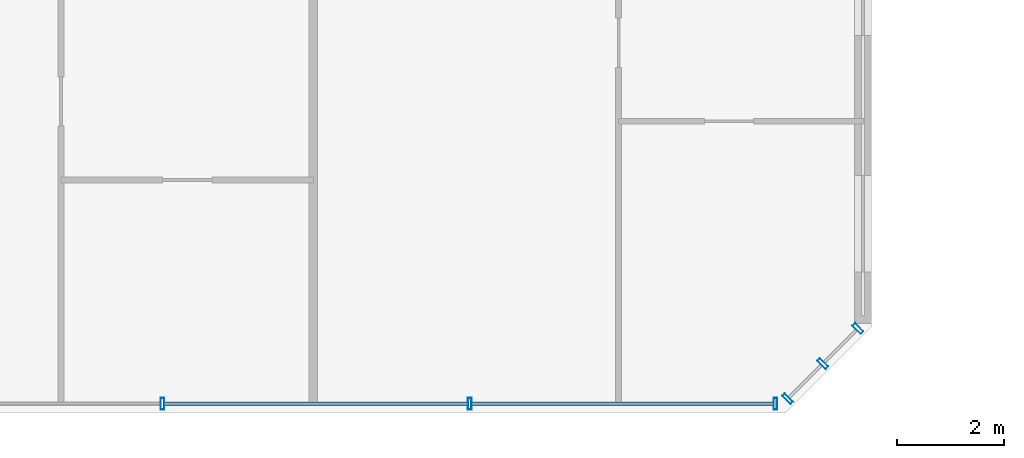
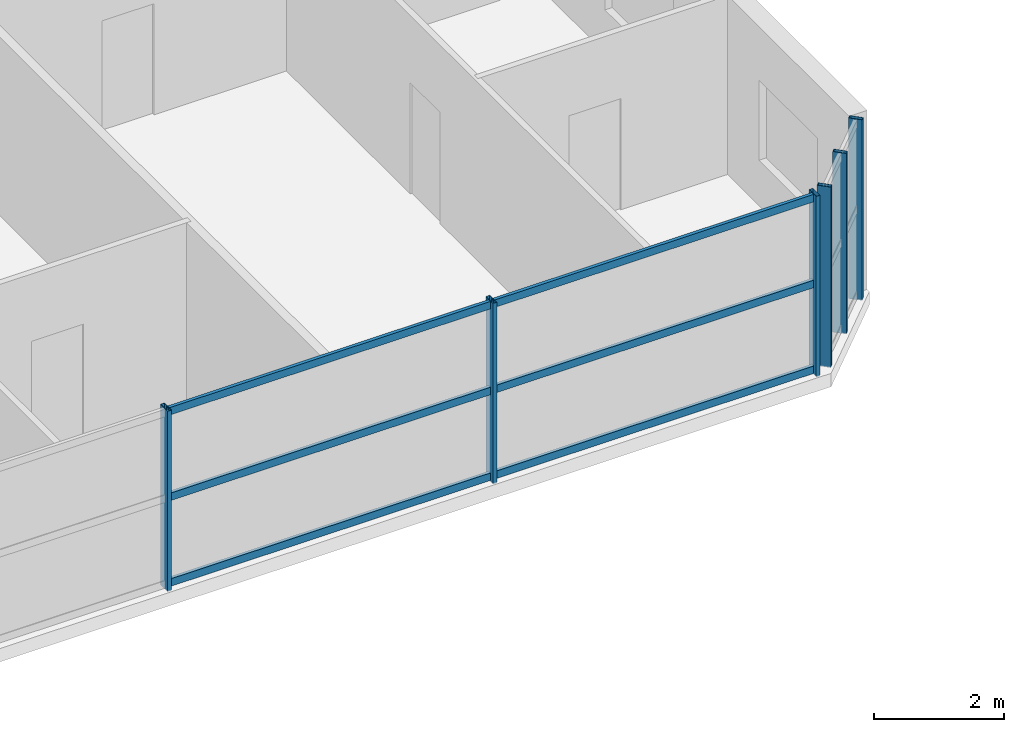
# One storey, part 6 of 21: 12 members, 2 elements without a shape of their own.
"""IFC4 building model written with IfcOpenShell, lengths in metres."""

from ifc_helpers import new_model, si_unit, direction, frame, origin, origin_2d, place, context, subcontext, project, spatial, hollow_rectangle, extrude, source, transform, mapped, material, material_profile, profile_set, type_object, element, aggregate, save


model = new_model("IFC4")

# Units and contexts
model_context = context("Model", 3, precision=1e-05, world=origin(), true_north=direction((0.0, 1.0)))
body_context = subcontext(model_context, "Body", "Model", "MODEL_VIEW")
ifc_project = project(units=[si_unit("LENGTHUNIT", "METRE"), si_unit("AREAUNIT", "SQUARE_METRE"), si_unit("VOLUMEUNIT", "CUBIC_METRE"), si_unit("PLANEANGLEUNIT", "RADIAN"), si_unit("MASSUNIT", "GRAM", prefix="KILO")], contexts=[model_context])

# Site, building, storey
site_placement = place(None, origin())
site = spatial("IfcSite", under=ifc_project, at=site_placement, CompositionType="ELEMENT")
building_placement = place(site_placement, origin())
building = spatial("IfcBuilding", under=site, at=building_placement, Name="Tlacorven Tower", CompositionType="ELEMENT")
storey_placement = place(building_placement, frame((0.0, 0.0, 90.0)))
storey = spatial("IfcBuildingStorey", under=building, at=storey_placement, Name="L22", CompositionType="ELEMENT", Elevation=90.0)

# Curtain wall, members
ifc_material_1 = material(Name="Dark solar low-E double glazing in aluminium frame", Category="aluminium")
curtain_wall_type = type_object("IfcCurtainWallType", Name="CW-TWR-LOW", PredefinedType="USERDEFINED", material=ifc_material_1)
curtain_wall_1_placement = place(storey_placement, origin())
curtain_wall_1 = element("IfcCurtainWall", 1, at=curtain_wall_1_placement, inside=storey, type_object=curtain_wall_type, Name="L22 CW-TWR-LOW Curtain Wall 115", ObjectType="UNITISED CURTAIN WALL", PredefinedType="USERDEFINED")
ifc_material_2 = material(Name="Aluminium 6063-T6 anodised", Category="aluminium")
ifc_material_profile_1 = material_profile(ifc_material_2, hollow_rectangle(XDim=0.070068359375, YDim=0.219970703125, WallThickness=0.0048828125, at=origin_2d()), Name="ALU MULLION 70X220")
ifc_profile_set_1 = profile_set([ifc_material_profile_1], Name="Aluminium 6063-T6 anodised")
member_type_1 = type_object("IfcMemberType", Name="CWM-01", PredefinedType="MULLION", material=ifc_profile_set_1)
shared_shape_1 = source(origin(), body_context, "Body", "SweptSolid", [
    extrude(hollow_rectangle(XDim=0.070068359375, YDim=0.219970703125, WallThickness=0.0048828125, at=origin_2d()), origin(), (0.0, 0.0, 1.0), 3.380126953125),
])
member_1_placement = place(storey_placement, frame((52.14453125, 3.370849609375, -0.02001953125), z_axis=(0.0, 0.0, 1.0), x_axis=(-0.707106781187, -0.707106781187, 0.0)))
member_1 = element("IfcMember", 2, at=member_1_placement, type_object=member_type_1, Name="CW-L22-115 Mullion 1", PredefinedType="MULLION", context=body_context, shape_type="MappedRepresentation", body=[
    mapped(shared_shape_1, transform((0.0, 0.0, 0.0), scale=1.0)),
])
member_2_placement = place(storey_placement, frame((51.48681640625, 2.713134765625, -0.02001953125), z_axis=(0.0, 0.0, 1.0), x_axis=(-0.707106781187, -0.707106781187, 0.0)))
member_2 = element("IfcMember", 3, at=member_2_placement, type_object=member_type_1, Name="CW-L22-115 Mullion 2", PredefinedType="MULLION", context=body_context, shape_type="MappedRepresentation", body=[
    mapped(shared_shape_1, transform((0.0, 0.0, 0.0), scale=1.0)),
])
member_3_placement = place(storey_placement, frame((50.8291015625, 2.055419921875, -0.02001953125), z_axis=(0.0, 0.0, 1.0), x_axis=(-0.707106781187, -0.707106781187, 0.0)))
member_3 = element("IfcMember", 4, at=member_3_placement, type_object=member_type_1, Name="CW-L22-115 Mullion 3", PredefinedType="MULLION", context=body_context, shape_type="MappedRepresentation", body=[
    mapped(shared_shape_1, transform((0.0, 0.0, 0.0), scale=1.0)),
])
aggregate(curtain_wall_1, [member_1, member_2, member_3])

curtain_wall_2_placement = place(storey_placement, origin())
curtain_wall_2 = element("IfcCurtainWall", 5, at=curtain_wall_2_placement, inside=storey, type_object=curtain_wall_type, Name="L22 CW-TWR-LOW Curtain Wall 116", ObjectType="UNITISED CURTAIN WALL", PredefinedType="USERDEFINED")
member_4_placement = place(storey_placement, frame((50.5986328125, 1.9599609375, -0.02001953125), z_axis=(0.0, 0.0, 1.0), x_axis=(-1.0, 0.0, 0.0)))
member_4 = element("IfcMember", 6, at=member_4_placement, type_object=member_type_1, Name="CW-L22-116 Mullion 1", PredefinedType="MULLION", context=body_context, shape_type="MappedRepresentation", body=[
    mapped(shared_shape_1, transform((0.0, 0.0, 0.0), scale=1.0)),
])
member_5_placement = place(storey_placement, frame((44.8779296875, 1.9599609375, -0.02001953125), z_axis=(0.0, 0.0, 1.0), x_axis=(-1.0, 0.0, 0.0)))
member_5 = element("IfcMember", 7, at=member_5_placement, type_object=member_type_1, Name="CW-L22-116 Mullion 2", PredefinedType="MULLION", context=body_context, shape_type="MappedRepresentation", body=[
    mapped(shared_shape_1, transform((0.0, 0.0, 0.0), scale=1.0)),
])
member_6_placement = place(storey_placement, frame((39.1220703125, 1.9599609375, -0.02001953125), z_axis=(0.0, 0.0, 1.0), x_axis=(-1.0, 0.0, 0.0)))
member_6 = element("IfcMember", 8, at=member_6_placement, type_object=member_type_1, Name="CW-L22-116 Mullion 3", PredefinedType="MULLION", context=body_context, shape_type="MappedRepresentation", body=[
    mapped(shared_shape_1, transform((0.0, 0.0, 0.0), scale=1.0)),
])
ifc_material_profile_2 = material_profile(ifc_material_2, hollow_rectangle(XDim=0.06005859375, YDim=0.139892578125, WallThickness=0.00390625, at=origin_2d()), Name="ALU TRANSOM 60X140")
ifc_profile_set_2 = profile_set([ifc_material_profile_2], Name="Aluminium 6063-T6 anodised")
member_type_2 = type_object("IfcMemberType", Name="CWT-02", PredefinedType="USERDEFINED", material=ifc_profile_set_2)
shared_shape_2 = source(origin(), body_context, "Body", "SweptSolid", [
    extrude(hollow_rectangle(XDim=0.06005859375, YDim=0.139892578125, WallThickness=0.00390625, at=origin_2d()), origin(), (0.0, 0.0, 1.0), 5.6748046875),
])
member_7_placement = place(storey_placement, frame((50.57568359375, 1.9599609375, 0.070068359375), z_axis=(-1.0, 0.0, 0.0), x_axis=(0.0, -1.0, 0.0)))
member_7 = element("IfcMember", 9, at=member_7_placement, type_object=member_type_2, Name="CW-L22-116 Transom 1", ObjectType="TRANSOM", PredefinedType="USERDEFINED", context=body_context, shape_type="MappedRepresentation", body=[
    mapped(shared_shape_2, transform((0.0, 0.0, 0.0), scale=1.0)),
])
member_8_placement = place(storey_placement, frame((50.57568359375, 1.9599609375, 1.675048828125), z_axis=(-1.0, 0.0, 0.0), x_axis=(0.0, -1.0, 0.0)))
member_8 = element("IfcMember", 10, at=member_8_placement, type_object=member_type_2, Name="CW-L22-116 Transom 2", ObjectType="TRANSOM", PredefinedType="USERDEFINED", context=body_context, shape_type="MappedRepresentation", body=[
    mapped(shared_shape_2, transform((0.0, 0.0, 0.0), scale=1.0)),
])
member_9_placement = place(storey_placement, frame((50.57568359375, 1.9599609375, 3.280029296875), z_axis=(-1.0, 0.0, 0.0), x_axis=(0.0, -1.0, 0.0)))
member_9 = element("IfcMember", 11, at=member_9_placement, type_object=member_type_2, Name="CW-L22-116 Transom 3", ObjectType="TRANSOM", PredefinedType="USERDEFINED", context=body_context, shape_type="MappedRepresentation", body=[
    mapped(shared_shape_2, transform((0.0, 0.0, 0.0), scale=1.0)),
])
shared_shape_3 = source(origin(), body_context, "Body", "SweptSolid", [
    extrude(hollow_rectangle(XDim=0.06005859375, YDim=0.139892578125, WallThickness=0.00390625, at=origin_2d()), origin(), (0.0, 0.0, 1.0), 5.7099609375),
])
member_10_placement = place(storey_placement, frame((44.85498046875, 1.9599609375, 0.070068359375), z_axis=(-1.0, 0.0, 0.0), x_axis=(0.0, -1.0, 0.0)))
member_10 = element("IfcMember", 12, at=member_10_placement, type_object=member_type_2, Name="CW-L22-116 Transom 4", ObjectType="TRANSOM", PredefinedType="USERDEFINED", context=body_context, shape_type="MappedRepresentation", body=[
    mapped(shared_shape_3, transform((0.0, 0.0, 0.0), scale=1.0)),
])
member_11_placement = place(storey_placement, frame((44.85498046875, 1.9599609375, 1.675048828125), z_axis=(-1.0, 0.0, 0.0), x_axis=(0.0, -1.0, 0.0)))
member_11 = element("IfcMember", 13, at=member_11_placement, type_object=member_type_2, Name="CW-L22-116 Transom 5", ObjectType="TRANSOM", PredefinedType="USERDEFINED", context=body_context, shape_type="MappedRepresentation", body=[
    mapped(shared_shape_3, transform((0.0, 0.0, 0.0), scale=1.0)),
])
member_12_placement = place(storey_placement, frame((44.85498046875, 1.9599609375, 3.280029296875), z_axis=(-1.0, 0.0, 0.0), x_axis=(0.0, -1.0, 0.0)))
member_12 = element("IfcMember", 14, at=member_12_placement, type_object=member_type_2, Name="CW-L22-116 Transom 6", ObjectType="TRANSOM", PredefinedType="USERDEFINED", context=body_context, shape_type="MappedRepresentation", body=[
    mapped(shared_shape_3, transform((0.0, 0.0, 0.0), scale=1.0)),
])
aggregate(curtain_wall_2, [member_4, member_5, member_6, member_7, member_8, member_9, member_10, member_11, member_12])

save(model, "model.ifc")
